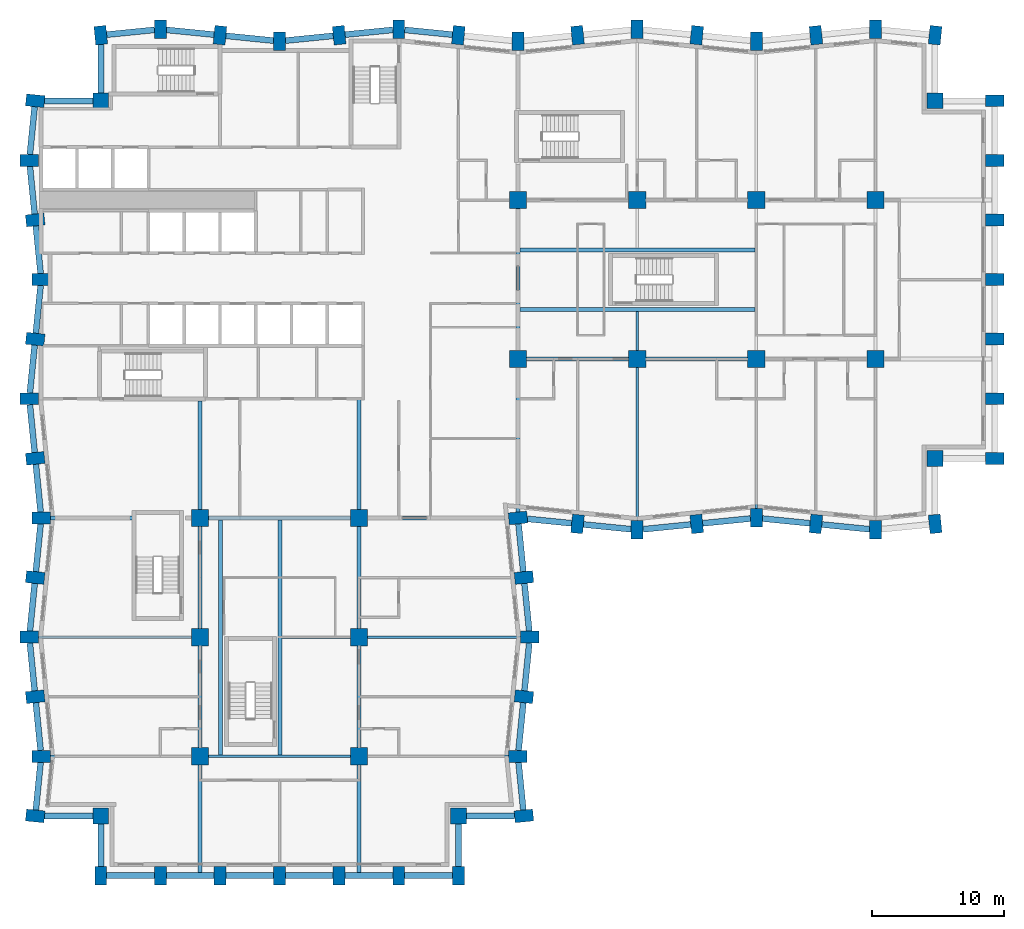
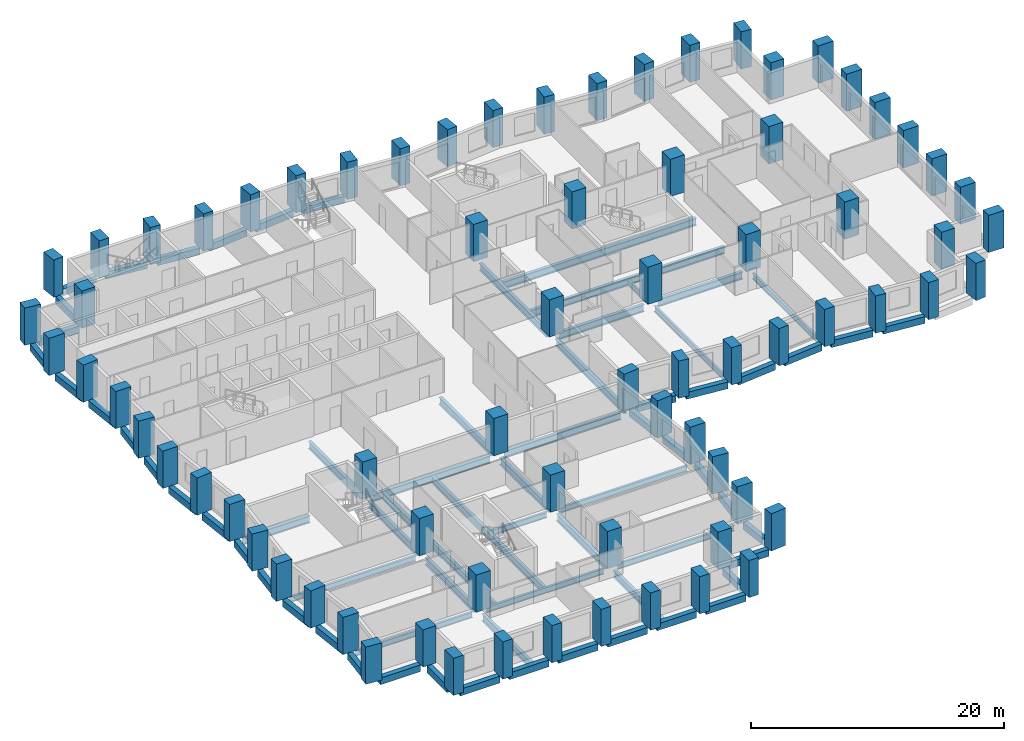
# One storey, part 1 of 12: 74 columns, 69 beams.
"""IFC4 building model written with IfcOpenShell, lengths in metres."""

from ifc_helpers import new_model, si_unit, direction, frame, origin, origin_2d, place, context, subcontext, project, spatial, rectangle, i_section, extrude, material, material_profile, profile_set, type_object, element, save


model = new_model("IFC4")

# Units and contexts
model_context = context("Model", 3, precision=1e-05, world=origin(), true_north=direction((0.0, 1.0)))
body_context = subcontext(model_context, "Body", "Model", "MODEL_VIEW")
ifc_project = project(units=[si_unit("LENGTHUNIT", "METRE"), si_unit("AREAUNIT", "SQUARE_METRE"), si_unit("VOLUMEUNIT", "CUBIC_METRE"), si_unit("PLANEANGLEUNIT", "RADIAN"), si_unit("MASSUNIT", "GRAM", prefix="KILO")], contexts=[model_context])

# Site, building, storey
site_placement = place(None, origin())
site = spatial("IfcSite", under=ifc_project, at=site_placement, CompositionType="ELEMENT")
building_placement = place(site_placement, origin())
building = spatial("IfcBuilding", under=site, at=building_placement, Name="Brondeck Convention Tower", CompositionType="ELEMENT")
storey_placement = place(building_placement, frame((0.0, 0.0, 59.10009765625)))
storey = spatial("IfcBuildingStorey", under=building, at=storey_placement, Name="L12", CompositionType="ELEMENT", Elevation=59.10009765625)

# Columns
ifc_material_1 = material(Name="Concrete C80/95", Category="concrete")
ifc_material_profile_1 = material_profile(ifc_material_1, rectangle(XDim=1.199951171875, YDim=1.199951171875, at=origin_2d()), Name="Corner column 1200x1200 Concrete C80/95")
ifc_profile_set_1 = profile_set([ifc_material_profile_1], Name="Concrete C80/95")
column_type_1 = type_object("IfcColumnType", Name="Corner column 1200x1200 Concrete C80/95", PredefinedType="COLUMN", material=ifc_profile_set_1)
for number, where, z_axis, x_axis, name in (
    (1, (4.5, 4.5, 0.0), (0.0, 0.0, 1.0), (1.0, 0.0, 0.0), "STR-COL-L12-NC-SWB0"),
    (2, (31.5, 4.5, 0.0), (0.0, 0.0, 1.0), (1.0, 0.0, 0.0), "STR-COL-L12-NC-SEB0"),
    (3, (67.5, 31.5, 0.0), (0.0, 0.0, 1.0), (1.0, 0.0, 0.0), "STR-COL-L12-NC-SEA72"),
    (4, (67.5, 58.5, 0.0), (0.0, 0.0, 1.0), (1.0, 0.0, 0.0), "STR-COL-L12-NC-NEA72"),
    (5, (4.5, 58.5, 0.0), (0.0, 0.0, 1.0), (1.0, 0.0, 0.0), "STR-COL-L12-NC-NW"),
):
    element("IfcColumn", number, at=place(storey_placement, frame(where, z_axis=z_axis, x_axis=x_axis)), inside=storey, type_object=column_type_1, Name=name, PredefinedType="COLUMN", context=body_context, shape_type="SweptSolid", body=[
        extrude(rectangle(XDim=1.199951171875, YDim=1.199951171875, at=origin_2d()), origin(), (0.0, 0.0, 1.0), 3.599853515625),
    ])
ifc_material_profile_2 = material_profile(ifc_material_1, rectangle(XDim=1.300048828125, YDim=1.300048828125, at=origin_2d()), Name="Interior column 1300x1300 Concrete C80/95")
ifc_profile_set_2 = profile_set([ifc_material_profile_2], Name="Concrete C80/95")
column_type_2 = type_object("IfcColumnType", Name="Interior column 1300x1300 Concrete C80/95", PredefinedType="COLUMN", material=ifc_profile_set_2)
for number, where, z_axis, x_axis, name in (
    (6, (12.0, 9.0, 0.0), (0.0, 0.0, 1.0), (1.0, 0.0, 0.0), "STR-COL-L12-IC-01"),
    (7, (12.0, 18.0, 0.0), (0.0, 0.0, 1.0), (1.0, 0.0, 0.0), "STR-COL-L12-IC-02"),
    (8, (12.0, 27.0, 0.0), (0.0, 0.0, 1.0), (1.0, 0.0, 0.0), "STR-COL-L12-IC-03"),
    (9, (24.0, 9.0, 0.0), (0.0, 0.0, 1.0), (1.0, 0.0, 0.0), "STR-COL-L12-IC-04"),
    (10, (24.0, 18.0, 0.0), (0.0, 0.0, 1.0), (1.0, 0.0, 0.0), "STR-COL-L12-IC-05"),
    (11, (24.0, 27.0, 0.0), (0.0, 0.0, 1.0), (1.0, 0.0, 0.0), "STR-COL-L12-IC-06"),
    (12, (36.0, 39.0, 0.0), (0.0, 0.0, 1.0), (1.0, 0.0, 0.0), "STR-COL-L12-IC-07"),
    (13, (36.0, 51.0, 0.0), (0.0, 0.0, 1.0), (1.0, 0.0, 0.0), "STR-COL-L12-IC-08"),
    (14, (45.0, 39.0, 0.0), (0.0, 0.0, 1.0), (1.0, 0.0, 0.0), "STR-COL-L12-IC-09"),
    (15, (45.0, 51.0, 0.0), (0.0, 0.0, 1.0), (1.0, 0.0, 0.0), "STR-COL-L12-IC-10"),
    (16, (54.0, 39.0, 0.0), (0.0, 0.0, 1.0), (1.0, 0.0, 0.0), "STR-COL-L12-IC-11"),
    (17, (54.0, 51.0, 0.0), (0.0, 0.0, 1.0), (1.0, 0.0, 0.0), "STR-COL-L12-IC-12"),
    (18, (63.0, 39.0, 0.0), (0.0, 0.0, 1.0), (1.0, 0.0, 0.0), "STR-COL-L12-IC-13"),
    (19, (63.0, 51.0, 0.0), (0.0, 0.0, 1.0), (1.0, 0.0, 0.0), "STR-COL-L12-IC-14"),
):
    element("IfcColumn", number, at=place(storey_placement, frame(where, z_axis=z_axis, x_axis=x_axis)), inside=storey, type_object=column_type_2, Name=name, PredefinedType="COLUMN", context=body_context, shape_type="SweptSolid", body=[
        extrude(rectangle(XDim=1.300048828125, YDim=1.300048828125, at=origin_2d()), origin(), (0.0, 0.0, 1.0), 3.599853515625),
    ])
ifc_material_profile_3 = material_profile(ifc_material_1, rectangle(XDim=0.89990234375, YDim=1.39990234375, at=origin_2d()), Name="Perimeter pier 900x1400 Concrete C80/95")
ifc_profile_set_3 = profile_set([ifc_material_profile_3], Name="Concrete C80/95")
column_type_3 = type_object("IfcColumnType", Name="Perimeter pier 900x1400 Concrete C80/95", PredefinedType="COLUMN", material=ifc_profile_set_3)
for number, where, z_axis, x_axis, name in (
    (20, (4.5, 0.0, 0.0), (0.0, 0.0, 1.0), (1.0, 0.0, 0.0), "STR-COL-L12-PC-B-S0-01"),
    (21, (9.0, 0.0, 0.0), (0.0, 0.0, 1.0), (1.0, 0.0, 0.0), "STR-COL-L12-PC-B-S0-02"),
    (22, (13.5, 0.0, 0.0), (0.0, 0.0, 1.0), (1.0, 0.0, 0.0), "STR-COL-L12-PC-B-S0-03"),
    (23, (18.0, 0.0, 0.0), (0.0, 0.0, 1.0), (1.0, 0.0, 0.0), "STR-COL-L12-PC-B-S0-04"),
    (24, (22.5, 0.0, 0.0), (0.0, 0.0, 1.0), (1.0, 0.0, 0.0), "STR-COL-L12-PC-B-S0-05"),
    (25, (27.0, 0.0, 0.0), (0.0, 0.0, 1.0), (1.0, 0.0, 0.0), "STR-COL-L12-PC-B-S0-06"),
    (26, (31.5, 0.0, 0.0), (0.0, 0.0, 1.0), (1.0, 0.0, 0.0), "STR-COL-L12-PC-B-S0-07"),
    (27, (36.449951171875, 4.5, 0.0), (0.0, 0.0, 1.0), (-0.0995038382, 0.995037178292, 0.0), "STR-COL-L12-PC-B-E-05"),
    (28, (36.0, 9.0, 0.0), (0.0, 0.0, 1.0), (0.0, 1.0, 0.0), "STR-COL-L12-PC-B-E-04"),
    (29, (36.449951171875, 13.5, 0.0), (0.0, 0.0, 1.0), (0.0995038382, 0.995037178292, 0.0), "STR-COL-L12-PC-B-E-03"),
    (30, (36.89990234375, 18.0, 0.0), (0.0, 0.0, 1.0), (0.0, 1.0, 0.0), "STR-COL-L12-PC-B-E-02"),
    (31, (36.449951171875, 22.5, 0.0), (0.0, 0.0, 1.0), (-0.0995038382, 0.995037178292, 0.0), "STR-COL-L12-PC-B-E-01"),
    (32, (36.0, 27.0, 0.0), (0.0, 0.0, 1.0), (-0.0995038382, 0.995037178292, 0.0), "STR-COL-L12-PC-B-E-00"),
    (33, (40.5, 26.550048828125, 0.0), (0.0, 0.0, 1.0), (0.995037178292, -0.0995038382, 0.0), "STR-COL-L12-PC-A-S-01"),
    (34, (45.0, 26.10009765625, 0.0), (0.0, 0.0, 1.0), (1.0, 0.0, 0.0), "STR-COL-L12-PC-A-S-02"),
    (35, (49.5, 26.550048828125, 0.0), (0.0, 0.0, 1.0), (0.995037178292, 0.0995038382, 0.0), "STR-COL-L12-PC-A-S-03"),
    (36, (54.0, 27.0, 0.0), (0.0, 0.0, 1.0), (1.0, 0.0, 0.0), "STR-COL-L12-PC-A-S-04"),
    (37, (58.5, 26.550048828125, 0.0), (0.0, 0.0, 1.0), (0.995037178292, -0.0995038382, 0.0), "STR-COL-L12-PC-A-S-05"),
    (38, (63.0, 26.10009765625, 0.0), (0.0, 0.0, 1.0), (1.0, 0.0, 0.0), "STR-COL-L12-PC-A-S-06"),
    (39, (67.5, 26.550048828125, 0.0), (0.0, 0.0, 1.0), (0.995037178292, 0.0995038382, 0.0), "STR-COL-L12-PC-A-S-07"),
    (40, (72.0, 31.5, 0.0), (0.0, 0.0, 1.0), (0.0, 1.0, 0.0), "STR-COL-L12-PC-A-E72-01"),
    (41, (72.0, 36.0, 0.0), (0.0, 0.0, 1.0), (0.0, 1.0, 0.0), "STR-COL-L12-PC-A-E72-02"),
    (42, (72.0, 40.5, 0.0), (0.0, 0.0, 1.0), (0.0, 1.0, 0.0), "STR-COL-L12-PC-A-E72-03"),
    (43, (72.0, 45.0, 0.0), (0.0, 0.0, 1.0), (0.0, 1.0, 0.0), "STR-COL-L12-PC-A-E72-04"),
    (44, (72.0, 49.5, 0.0), (0.0, 0.0, 1.0), (0.0, 1.0, 0.0), "STR-COL-L12-PC-A-E72-05"),
    (45, (72.0, 54.0, 0.0), (0.0, 0.0, 1.0), (0.0, 1.0, 0.0), "STR-COL-L12-PC-A-E72-06"),
    (46, (72.0, 58.5, 0.0), (0.0, 0.0, 1.0), (0.0, 1.0, 0.0), "STR-COL-L12-PC-A-E72-07"),
    (47, (67.5, 63.449951171875, 0.0), (0.0, 0.0, 1.0), (-0.995037178292, 0.0995038382, 0.0), "STR-COL-L12-PC-A-N-15"),
    (48, (63.0, 63.89990234375, 0.0), (0.0, 0.0, 1.0), (-1.0, 0.0, 0.0), "STR-COL-L12-PC-A-N-14"),
    (49, (58.5, 63.449951171875, 0.0), (0.0, 0.0, 1.0), (-0.995037178292, -0.0995038382, 0.0), "STR-COL-L12-PC-A-N-13"),
    (50, (54.0, 63.0, 0.0), (0.0, 0.0, 1.0), (-1.0, 0.0, 0.0), "STR-COL-L12-PC-A-N-12"),
    (51, (49.5, 63.449951171875, 0.0), (0.0, 0.0, 1.0), (-0.995037178292, 0.0995038382, 0.0), "STR-COL-L12-PC-A-N-11"),
    (52, (45.0, 63.89990234375, 0.0), (0.0, 0.0, 1.0), (-1.0, 0.0, 0.0), "STR-COL-L12-PC-A-N-10"),
    (53, (40.5, 63.449951171875, 0.0), (0.0, 0.0, 1.0), (-0.995037178292, -0.0995038382, 0.0), "STR-COL-L12-PC-A-N-09"),
    (54, (36.0, 63.0, 0.0), (0.0, 0.0, 1.0), (-1.0, 0.0, 0.0), "STR-COL-L12-PC-A-N-08"),
    (55, (31.5, 63.449951171875, 0.0), (0.0, 0.0, 1.0), (-0.995037178292, 0.0995038382, 0.0), "STR-COL-L12-PC-A-N-07"),
    (56, (27.0, 63.89990234375, 0.0), (0.0, 0.0, 1.0), (-1.0, 0.0, 0.0), "STR-COL-L12-PC-A-N-06"),
    (57, (22.5, 63.449951171875, 0.0), (0.0, 0.0, 1.0), (-0.995037178292, -0.0995038382, 0.0), "STR-COL-L12-PC-A-N-05"),
    (58, (18.0, 63.0, 0.0), (0.0, 0.0, 1.0), (-1.0, 0.0, 0.0), "STR-COL-L12-PC-A-N-04"),
    (59, (13.5, 63.449951171875, 0.0), (0.0, 0.0, 1.0), (-0.995037178292, 0.0995038382, 0.0), "STR-COL-L12-PC-A-N-03"),
    (60, (9.0, 63.89990234375, 0.0), (0.0, 0.0, 1.0), (-1.0, 0.0, 0.0), "STR-COL-L12-PC-A-N-02"),
    (61, (4.5, 63.449951171875, 0.0), (0.0, 0.0, 1.0), (-0.995037178292, -0.0995038382, 0.0), "STR-COL-L12-PC-A-N-01"),
    (62, (-0.449951171875, 58.5, 0.0), (0.0, 0.0, 1.0), (-0.0995038382, -0.995037178292, 0.0), "STR-COL-L12-PC-B-W-01"),
    (63, (-0.89990234375, 54.0, 0.0), (0.0, 0.0, 1.0), (0.0, -1.0, 0.0), "STR-COL-L12-PC-B-W-02"),
    (64, (-0.449951171875, 49.5, 0.0), (0.0, 0.0, 1.0), (0.0995038382, -0.995037178292, 0.0), "STR-COL-L12-PC-B-W-03"),
    (65, (0.0, 45.0, 0.0), (0.0, 0.0, 1.0), (0.0, -1.0, 0.0), "STR-COL-L12-PC-B-W-04"),
    (66, (-0.449951171875, 40.5, 0.0), (0.0, 0.0, 1.0), (-0.0995038382, -0.995037178292, 0.0), "STR-COL-L12-PC-B-W-05"),
    (67, (-0.89990234375, 36.0, 0.0), (0.0, 0.0, 1.0), (0.0, -1.0, 0.0), "STR-COL-L12-PC-B-W-06"),
    (68, (-0.449951171875, 31.5, 0.0), (0.0, 0.0, 1.0), (0.0995038382, -0.995037178292, 0.0), "STR-COL-L12-PC-B-W-07"),
    (69, (0.0, 27.0, 0.0), (0.0, 0.0, 1.0), (0.0, -1.0, 0.0), "STR-COL-L12-PC-B-W-08"),
    (70, (-0.449951171875, 22.5, 0.0), (0.0, 0.0, 1.0), (-0.0995038382, -0.995037178292, 0.0), "STR-COL-L12-PC-B-W-09"),
    (71, (-0.89990234375, 18.0, 0.0), (0.0, 0.0, 1.0), (0.0, -1.0, 0.0), "STR-COL-L12-PC-B-W-10"),
    (72, (-0.449951171875, 13.5, 0.0), (0.0, 0.0, 1.0), (0.0995038382, -0.995037178292, 0.0), "STR-COL-L12-PC-B-W-11"),
    (73, (0.0, 9.0, 0.0), (0.0, 0.0, 1.0), (0.0, -1.0, 0.0), "STR-COL-L12-PC-B-W-12"),
    (74, (-0.449951171875, 4.5, 0.0), (0.0, 0.0, 1.0), (-0.0995038382, -0.995037178292, 0.0), "STR-COL-L12-PC-B-W-13"),
):
    element("IfcColumn", number, at=place(storey_placement, frame(where, z_axis=z_axis, x_axis=x_axis)), inside=storey, type_object=column_type_3, Name=name, PredefinedType="COLUMN", context=body_context, shape_type="SweptSolid", body=[
        extrude(rectangle(XDim=0.89990234375, YDim=1.39990234375, at=origin_2d()), origin(), (0.0, 0.0, 1.0), 3.599853515625),
    ])

# Beams
ifc_material_2 = material(Name="Steel S355", Category="steel")
ifc_material_profile_4 = material_profile(ifc_material_2, i_section(OverallWidth=0.2099609375, OverallDepth=0.550048828125, WebThickness=0.010986328125, FlangeThickness=0.01708984375, FilletRadius=0.02392578125, at=origin_2d()), Name="IPE 550")
ifc_profile_set_4 = profile_set([ifc_material_profile_4], Name="Steel S355")
beam_type_1 = type_object("IfcBeamType", Name="Floor beam IPE 550", PredefinedType="BEAM", material=ifc_profile_set_4)
beam_1_placement = place(storey_placement, frame((45.0, 26.800048828125, -0.5751953125), z_axis=(0.0, 1.0, 0.0), x_axis=(-1.0, 0.0, 0.0)))
element("IfcBeam", 75, at=beam_1_placement, inside=storey, type_object=beam_type_1, Name="STR-FB-L12-001", PredefinedType="BEAM", context=body_context, shape_type="SweptSolid", body=[
    extrude(i_section(OverallWidth=0.2099609375, OverallDepth=0.550048828125, WebThickness=0.010986328125, FlangeThickness=0.01708984375, FilletRadius=0.02392578125, at=origin_2d()), origin(), (0.0, 0.0, 1.0), 11.550048828125),
])
for number, where, z_axis, x_axis, name in (
    (76, (54.0, 27.699951171875, -0.5751953125), (0.0, 1.0, 0.0), (-1.0, 0.0, 0.0), "STR-FB-L12-003"),
    (77, (0.699951171875, 9.0, -0.5751953125), (1.0, 0.0, 0.0), (0.0, 1.0, 0.0), "STR-FB-L12-009"),
):
    element("IfcBeam", number, at=place(storey_placement, frame(where, z_axis=z_axis, x_axis=x_axis)), inside=storey, type_object=beam_type_1, Name=name, PredefinedType="BEAM", context=body_context, shape_type="SweptSolid", body=[
        extrude(i_section(OverallWidth=0.2099609375, OverallDepth=0.550048828125, WebThickness=0.010986328125, FlangeThickness=0.01708984375, FilletRadius=0.02392578125, at=origin_2d()), origin(), (0.0, 0.0, 1.0), 10.650146484375),
    ])
beam_2_placement = place(storey_placement, frame((12.64990234375, 9.0, -0.5751953125), z_axis=(1.0, 0.0, 0.0), x_axis=(0.0, 1.0, 0.0)))
element("IfcBeam", 78, at=beam_2_placement, inside=storey, type_object=beam_type_1, Name="STR-FB-L12-010", PredefinedType="BEAM", context=body_context, shape_type="SweptSolid", body=[
    extrude(i_section(OverallWidth=0.2099609375, OverallDepth=0.550048828125, WebThickness=0.010986328125, FlangeThickness=0.01708984375, FilletRadius=0.02392578125, at=origin_2d()), origin(), (0.0, 0.0, 1.0), 10.7001953125),
])
beam_3_placement = place(storey_placement, frame((24.64990234375, 9.0, -0.5751953125), z_axis=(1.0, 0.0, 0.0), x_axis=(0.0, 1.0, 0.0)))
element("IfcBeam", 79, at=beam_3_placement, inside=storey, type_object=beam_type_1, Name="STR-FB-L12-011", PredefinedType="BEAM", context=body_context, shape_type="SweptSolid", body=[
    extrude(i_section(OverallWidth=0.2099609375, OverallDepth=0.550048828125, WebThickness=0.010986328125, FlangeThickness=0.01708984375, FilletRadius=0.02392578125, at=origin_2d()), origin(), (0.0, 0.0, 1.0), 10.650146484375),
])
for number, where, z_axis, x_axis, name in (
    (80, (-0.199951171875, 18.0, -0.5751953125), (1.0, 0.0, 0.0), (0.0, 1.0, 0.0), "STR-FB-L12-012"),
    (81, (24.64990234375, 18.0, -0.5751953125), (1.0, 0.0, 0.0), (0.0, 1.0, 0.0), "STR-FB-L12-013"),
):
    element("IfcBeam", number, at=place(storey_placement, frame(where, z_axis=z_axis, x_axis=x_axis)), inside=storey, type_object=beam_type_1, Name=name, PredefinedType="BEAM", context=body_context, shape_type="SweptSolid", body=[
        extrude(i_section(OverallWidth=0.2099609375, OverallDepth=0.550048828125, WebThickness=0.010986328125, FlangeThickness=0.01708984375, FilletRadius=0.02392578125, at=origin_2d()), origin(), (0.0, 0.0, 1.0), 11.550048828125),
    ])
beam_4_placement = place(storey_placement, frame((45.0, 39.64990234375, -0.5751953125), z_axis=(0.0, 1.0, 0.0), x_axis=(-1.0, 0.0, 0.0)))
element("IfcBeam", 82, at=beam_4_placement, inside=storey, type_object=beam_type_1, Name="STR-FB-L12-014", PredefinedType="BEAM", context=body_context, shape_type="SweptSolid", body=[
    extrude(i_section(OverallWidth=0.2099609375, OverallDepth=0.550048828125, WebThickness=0.010986328125, FlangeThickness=0.01708984375, FilletRadius=0.02392578125, at=origin_2d()), origin(), (0.0, 0.0, 1.0), 2.9501953125),
])
beam_5_placement = place(storey_placement, frame((18.199951171875, 18.0, -0.5751953125), z_axis=(1.0, 0.0, 0.0), x_axis=(0.0, 1.0, 0.0)))
element("IfcBeam", 83, at=beam_5_placement, inside=storey, type_object=beam_type_1, Name="STR-FB-L12-016", PredefinedType="BEAM", context=body_context, shape_type="SweptSolid", body=[
    extrude(i_section(OverallWidth=0.2099609375, OverallDepth=0.550048828125, WebThickness=0.010986328125, FlangeThickness=0.01708984375, FilletRadius=0.02392578125, at=origin_2d()), origin(), (0.0, 0.0, 1.0), 5.150146484375),
])
ifc_material_profile_5 = material_profile(ifc_material_2, i_section(OverallWidth=0.300048828125, OverallDepth=0.699951171875, WebThickness=0.01708984375, FlangeThickness=0.031982421875, FilletRadius=0.027099609375, at=origin_2d()), Name="HEB 700")
ifc_profile_set_5 = profile_set([ifc_material_profile_5], Name="Steel S355")
beam_type_2 = type_object("IfcBeamType", Name="Girder HEB 700", PredefinedType="BEAM", material=ifc_profile_set_5)
for number, where, z_axis, x_axis, name in (
    (84, (36.64990234375, 39.0, -0.650146484375), (1.0, 0.0, 0.0), (0.0, 1.0, 0.0), "STR-GR-L12-001"),
    (85, (45.64990234375, 39.0, -0.650146484375), (1.0, 0.0, 0.0), (0.0, 1.0, 0.0), "STR-GR-L12-002"),
):
    element("IfcBeam", number, at=place(storey_placement, frame(where, z_axis=z_axis, x_axis=x_axis)), inside=storey, type_object=beam_type_2, Name=name, PredefinedType="BEAM", context=body_context, shape_type="SweptSolid", body=[
        extrude(i_section(OverallWidth=0.300048828125, OverallDepth=0.699951171875, WebThickness=0.01708984375, FlangeThickness=0.031982421875, FilletRadius=0.027099609375, at=origin_2d()), origin(), (0.0, 0.0, 1.0), 7.7001953125),
    ])
beam_6_placement = place(storey_placement, frame((36.0, 27.4521484375, -0.650146484375), z_axis=(0.0, 1.0, 0.0), x_axis=(-1.0, 0.0, 0.0)))
element("IfcBeam", 86, at=beam_6_placement, inside=storey, type_object=beam_type_2, Name="STR-GR-L12-009", PredefinedType="BEAM", context=body_context, shape_type="SweptSolid", body=[
    extrude(i_section(OverallWidth=0.300048828125, OverallDepth=0.699951171875, WebThickness=0.01708984375, FlangeThickness=0.031982421875, FilletRadius=0.027099609375, at=origin_2d()), origin(), (0.0, 0.0, 1.0), 10.89794921875),
])
beam_7_placement = place(storey_placement, frame((36.0, 39.64990234375, -0.650146484375), z_axis=(0.0, 1.0, 0.0), x_axis=(-1.0, 0.0, 0.0)))
element("IfcBeam", 87, at=beam_7_placement, inside=storey, type_object=beam_type_2, Name="STR-GR-L12-010", PredefinedType="BEAM", context=body_context, shape_type="SweptSolid", body=[
    extrude(i_section(OverallWidth=0.300048828125, OverallDepth=0.699951171875, WebThickness=0.01708984375, FlangeThickness=0.031982421875, FilletRadius=0.027099609375, at=origin_2d()), origin(), (0.0, 0.0, 1.0), 10.7001953125),
])
beam_8_placement = place(storey_placement, frame((12.0, 35.85009765625, -0.650146484375), z_axis=(0.0, -1.0, 0.0), x_axis=(1.0, 0.0, 0.0)))
element("IfcBeam", 88, at=beam_8_placement, inside=storey, type_object=beam_type_2, Name="STR-GR-L12-013", PredefinedType="BEAM", context=body_context, shape_type="SweptSolid", body=[
    extrude(i_section(OverallWidth=0.300048828125, OverallDepth=0.699951171875, WebThickness=0.01708984375, FlangeThickness=0.031982421875, FilletRadius=0.027099609375, at=origin_2d()), origin(), (0.0, 0.0, 1.0), 8.2001953125),
])
for number, where, z_axis, x_axis, name in (
    (89, (12.0, 26.35009765625, -0.650146484375), (0.0, -1.0, 0.0), (1.0, 0.0, 0.0), "STR-GR-L12-014"),
    (90, (12.0, 17.35009765625, -0.650146484375), (0.0, -1.0, 0.0), (1.0, 0.0, 0.0), "STR-GR-L12-015"),
):
    element("IfcBeam", number, at=place(storey_placement, frame(where, z_axis=z_axis, x_axis=x_axis)), inside=storey, type_object=beam_type_2, Name=name, PredefinedType="BEAM", context=body_context, shape_type="SweptSolid", body=[
        extrude(i_section(OverallWidth=0.300048828125, OverallDepth=0.699951171875, WebThickness=0.01708984375, FlangeThickness=0.031982421875, FilletRadius=0.027099609375, at=origin_2d()), origin(), (0.0, 0.0, 1.0), 7.7001953125),
    ])
beam_9_placement = place(storey_placement, frame((12.0, 8.35009765625, -0.650146484375), z_axis=(0.0, -1.0, 0.0), x_axis=(1.0, 0.0, 0.0)))
element("IfcBeam", 91, at=beam_9_placement, inside=storey, type_object=beam_type_2, Name="STR-GR-L12-016", PredefinedType="BEAM", context=body_context, shape_type="SweptSolid", body=[
    extrude(i_section(OverallWidth=0.300048828125, OverallDepth=0.699951171875, WebThickness=0.01708984375, FlangeThickness=0.031982421875, FilletRadius=0.027099609375, at=origin_2d()), origin(), (0.0, 0.0, 1.0), 8.125),
])
beam_10_placement = place(storey_placement, frame((24.0, 35.955078125, -0.650146484375), z_axis=(0.0, -1.0, 0.0), x_axis=(1.0, 0.0, 0.0)))
element("IfcBeam", 92, at=beam_10_placement, inside=storey, type_object=beam_type_2, Name="STR-GR-L12-017", PredefinedType="BEAM", context=body_context, shape_type="SweptSolid", body=[
    extrude(i_section(OverallWidth=0.300048828125, OverallDepth=0.699951171875, WebThickness=0.01708984375, FlangeThickness=0.031982421875, FilletRadius=0.027099609375, at=origin_2d()), origin(), (0.0, 0.0, 1.0), 8.30517578125),
])
for number, where, z_axis, x_axis, name in (
    (93, (24.0, 26.35009765625, -0.650146484375), (0.0, -1.0, 0.0), (1.0, 0.0, 0.0), "STR-GR-L12-018"),
    (94, (24.0, 17.35009765625, -0.650146484375), (0.0, -1.0, 0.0), (1.0, 0.0, 0.0), "STR-GR-L12-019"),
):
    element("IfcBeam", number, at=place(storey_placement, frame(where, z_axis=z_axis, x_axis=x_axis)), inside=storey, type_object=beam_type_2, Name=name, PredefinedType="BEAM", context=body_context, shape_type="SweptSolid", body=[
        extrude(i_section(OverallWidth=0.300048828125, OverallDepth=0.699951171875, WebThickness=0.01708984375, FlangeThickness=0.031982421875, FilletRadius=0.027099609375, at=origin_2d()), origin(), (0.0, 0.0, 1.0), 7.7001953125),
    ])
beam_11_placement = place(storey_placement, frame((24.0, 8.35009765625, -0.650146484375), z_axis=(0.0, -1.0, 0.0), x_axis=(1.0, 0.0, 0.0)))
element("IfcBeam", 95, at=beam_11_placement, inside=storey, type_object=beam_type_2, Name="STR-GR-L12-020", PredefinedType="BEAM", context=body_context, shape_type="SweptSolid", body=[
    extrude(i_section(OverallWidth=0.300048828125, OverallDepth=0.699951171875, WebThickness=0.01708984375, FlangeThickness=0.031982421875, FilletRadius=0.027099609375, at=origin_2d()), origin(), (0.0, 0.0, 1.0), 8.125),
])
beam_12_placement = place(storey_placement, frame((0.699951171875, 27.0, -0.650146484375), z_axis=(1.0, 0.0, 0.0), x_axis=(0.0, 1.0, 0.0)))
element("IfcBeam", 96, at=beam_12_placement, inside=storey, type_object=beam_type_2, Name="STR-GR-L12-021", PredefinedType="BEAM", context=body_context, shape_type="SweptSolid", body=[
    extrude(i_section(OverallWidth=0.300048828125, OverallDepth=0.699951171875, WebThickness=0.01708984375, FlangeThickness=0.031982421875, FilletRadius=0.027099609375, at=origin_2d()), origin(), (0.0, 0.0, 1.0), 6.179931640625),
])
beam_13_placement = place(storey_placement, frame((12.64990234375, 27.0, -0.650146484375), z_axis=(1.0, 0.0, 0.0), x_axis=(0.0, 1.0, 0.0)))
element("IfcBeam", 97, at=beam_13_placement, inside=storey, type_object=beam_type_2, Name="STR-GR-L12-022", PredefinedType="BEAM", context=body_context, shape_type="SweptSolid", body=[
    extrude(i_section(OverallWidth=0.300048828125, OverallDepth=0.699951171875, WebThickness=0.01708984375, FlangeThickness=0.031982421875, FilletRadius=0.027099609375, at=origin_2d()), origin(), (0.0, 0.0, 1.0), 10.7001953125),
])
beam_14_placement = place(storey_placement, frame((24.64990234375, 27.0, -0.650146484375), z_axis=(1.0, 0.0, 0.0), x_axis=(0.0, 1.0, 0.0)))
element("IfcBeam", 98, at=beam_14_placement, inside=storey, type_object=beam_type_2, Name="STR-GR-L12-023", PredefinedType="BEAM", context=body_context, shape_type="SweptSolid", body=[
    extrude(i_section(OverallWidth=0.300048828125, OverallDepth=0.699951171875, WebThickness=0.01708984375, FlangeThickness=0.031982421875, FilletRadius=0.027099609375, at=origin_2d()), origin(), (0.0, 0.0, 1.0), 10.646484375),
])
for number, where, z_axis, x_axis, name in (
    (99, (36.14990234375, 42.75, -0.650146484375), (1.0, 0.0, 0.0), (0.0, 1.0, 0.0), "STR-GR-L12-024"),
    (100, (36.14990234375, 47.25, -0.650146484375), (1.0, 0.0, 0.0), (0.0, 1.0, 0.0), "STR-GR-L12-025"),
    (101, (13.550048828125, 9.10498046875, -0.650146484375), (0.0, 1.0, 0.0), (-1.0, 0.0, 0.0), "STR-GR-L12-026"),
    (102, (18.050048828125, 9.10498046875, -0.650146484375), (0.0, 1.0, 0.0), (-1.0, 0.0, 0.0), "STR-GR-L12-027"),
):
    element("IfcBeam", number, at=place(storey_placement, frame(where, z_axis=z_axis, x_axis=x_axis)), inside=storey, type_object=beam_type_2, Name=name, PredefinedType="BEAM", context=body_context, shape_type="SweptSolid", body=[
        extrude(i_section(OverallWidth=0.300048828125, OverallDepth=0.699951171875, WebThickness=0.01708984375, FlangeThickness=0.031982421875, FilletRadius=0.027099609375, at=origin_2d()), origin(), (0.0, 0.0, 1.0), 17.7451171875),
    ])
ifc_material_profile_6 = material_profile(ifc_material_1, rectangle(XDim=0.449951171875, YDim=0.64990234375, at=origin_2d()), Name="Precast spandrel 450x650 Concrete C80/95")
ifc_profile_set_6 = profile_set([ifc_material_profile_6], Name="Concrete C80/95")
beam_type_3 = type_object("IfcBeamType", Name="Precast spandrel 450x650 Concrete C80/95", PredefinedType="SPANDREL", material=ifc_profile_set_6)
for number, where, z_axis, x_axis, name in (
    (103, (4.949951171875, 0.0, -0.3251953125), (1.0, 0.0, 0.0), (0.0, 1.0, 0.0), "STR-SP-L12-001"),
    (104, (9.449951171875, 0.0, -0.3251953125), (1.0, 0.0, 0.0), (0.0, 1.0, 0.0), "STR-SP-L12-002"),
    (105, (13.949951171875, 0.0, -0.3251953125), (1.0, 0.0, 0.0), (0.0, 1.0, 0.0), "STR-SP-L12-003"),
    (106, (18.449951171875, 0.0, -0.3251953125), (1.0, 0.0, 0.0), (0.0, 1.0, 0.0), "STR-SP-L12-004"),
    (107, (22.949951171875, 0.0, -0.3251953125), (1.0, 0.0, 0.0), (0.0, 1.0, 0.0), "STR-SP-L12-005"),
    (108, (27.449951171875, 0.0, -0.3251953125), (1.0, 0.0, 0.0), (0.0, 1.0, 0.0), "STR-SP-L12-006"),
):
    element("IfcBeam", number, at=place(storey_placement, frame(where, z_axis=z_axis, x_axis=x_axis)), inside=storey, type_object=beam_type_3, Name=name, PredefinedType="SPANDREL", context=body_context, shape_type="SweptSolid", body=[
        extrude(rectangle(XDim=0.449951171875, YDim=0.64990234375, at=origin_2d()), origin(), (0.0, 0.0, 1.0), 3.60009765625),
    ])
beam_15_placement = place(storey_placement, frame((31.5, 0.699951171875, -0.3251953125), z_axis=(0.0, 1.0, 0.0), x_axis=(-1.0, 0.0, 0.0)))
element("IfcBeam", 109, at=beam_15_placement, inside=storey, type_object=beam_type_3, Name="STR-SP-L12-007", PredefinedType="SPANDREL", context=body_context, shape_type="SweptSolid", body=[
    extrude(rectangle(XDim=0.449951171875, YDim=0.64990234375, at=origin_2d()), origin(), (0.0, 0.0, 1.0), 3.199951171875),
])
beam_16_placement = place(storey_placement, frame((32.10009765625, 4.5, -0.3251953125), z_axis=(1.0, 0.0, 0.0), x_axis=(0.0, 1.0, 0.0)))
element("IfcBeam", 110, at=beam_16_placement, inside=storey, type_object=beam_type_3, Name="STR-SP-L12-008", PredefinedType="SPANDREL", context=body_context, shape_type="SweptSolid", body=[
    extrude(rectangle(XDim=0.449951171875, YDim=0.64990234375, at=origin_2d()), origin(), (0.0, 0.0, 1.0), 3.646484375),
])
for number, where, z_axis, x_axis, name in (
    (111, (36.4052734375, 4.94775390625, -0.3251953125), (-0.099537103649, 0.995033851182, 0.0), (-0.995033851182, -0.099537103649, 0.0), "STR-SP-L12-009"),
    (112, (36.044921875, 9.449951171875, -0.3251953125), (0.099537103649, 0.995033851182, 0.0), (-0.995033851182, 0.099537103649, 0.0), "STR-SP-L12-010"),
    (113, (36.494873046875, 13.94775390625, -0.3251953125), (0.099470334057, 0.995040528141, 0.0), (-0.995040528141, 0.099470334057, 0.0), "STR-SP-L12-011"),
    (114, (36.85498046875, 18.449951171875, -0.3251953125), (-0.099470334057, 0.995040528141, 0.0), (-0.995040528141, -0.099470334057, 0.0), "STR-SP-L12-012"),
):
    element("IfcBeam", number, at=place(storey_placement, frame(where, z_axis=z_axis, x_axis=x_axis)), inside=storey, type_object=beam_type_3, Name=name, PredefinedType="SPANDREL", context=body_context, shape_type="SweptSolid", body=[
        extrude(rectangle(XDim=0.449951171875, YDim=0.64990234375, at=origin_2d()), origin(), (0.0, 0.0, 1.0), 3.620361328125),
    ])
beam_17_placement = place(storey_placement, frame((36.4052734375, 22.94775390625, -0.3251953125), z_axis=(-0.099543756114, 0.995033185687, 0.0), x_axis=(-0.995033185687, -0.099543756114, 0.0)))
element("IfcBeam", 115, at=beam_17_placement, inside=storey, type_object=beam_type_3, Name="STR-SP-L12-013", PredefinedType="SPANDREL", context=body_context, shape_type="SweptSolid", body=[
    extrude(rectangle(XDim=0.449951171875, YDim=0.64990234375, at=origin_2d()), origin(), (0.0, 0.0, 1.0), 3.62255859375),
])
beam_18_placement = place(storey_placement, frame((36.710693359375, 26.928955078125, -0.3251953125), z_axis=(0.995035030591, -0.099525312843, 0.0), x_axis=(0.099525312843, 0.995035030591, 0.0)))
element("IfcBeam", 116, at=beam_18_placement, inside=storey, type_object=beam_type_3, Name="STR-SP-L12-014", PredefinedType="SPANDREL", context=body_context, shape_type="SweptSolid", body=[
    extrude(rectangle(XDim=0.449951171875, YDim=0.64990234375, at=origin_2d()), origin(), (0.0, 0.0, 1.0), 3.358154296875),
])
for number, where, z_axis, x_axis, name in (
    (117, (40.94775390625, 26.505126953125, -0.3251953125), (0.995040528141, -0.099470334057, 0.0), (0.099470334057, 0.995040528141, 0.0), "STR-SP-L12-015"),
    (118, (45.449951171875, 26.14501953125, -0.3251953125), (0.995040528141, 0.099470334057, 0.0), (-0.099470334057, 0.995040528141, 0.0), "STR-SP-L12-016"),
    (119, (49.94775390625, 26.5947265625, -0.3251953125), (0.995033851182, 0.099537103649, 0.0), (-0.099537103649, 0.995033851182, 0.0), "STR-SP-L12-017"),
    (120, (54.449951171875, 26.955078125, -0.3251953125), (0.995033851182, -0.099537103649, 0.0), (0.099537103649, 0.995033851182, 0.0), "STR-SP-L12-018"),
    (121, (58.94775390625, 26.505126953125, -0.3251953125), (0.995040528141, -0.099470334057, 0.0), (0.099470334057, 0.995040528141, 0.0), "STR-SP-L12-019"),
    (122, (31.05224609375, 63.494873046875, -0.3251953125), (-0.995040528141, 0.099470334057, 0.0), (-0.099470334057, -0.995040528141, 0.0), "STR-SP-L12-039"),
    (123, (26.550048828125, 63.85498046875, -0.3251953125), (-0.995040528141, -0.099470334057, 0.0), (0.099470334057, -0.995040528141, 0.0), "STR-SP-L12-040"),
    (124, (22.05224609375, 63.4052734375, -0.3251953125), (-0.995033851182, -0.099537103649, 0.0), (0.099537103649, -0.995033851182, 0.0), "STR-SP-L12-041"),
    (125, (17.550048828125, 63.044921875, -0.3251953125), (-0.995033851182, 0.099537103649, 0.0), (-0.099537103649, -0.995033851182, 0.0), "STR-SP-L12-042"),
    (126, (13.05224609375, 63.494873046875, -0.3251953125), (-0.995040528141, 0.099470334057, 0.0), (-0.099470334057, -0.995040528141, 0.0), "STR-SP-L12-043"),
    (127, (8.550048828125, 63.85498046875, -0.3251953125), (-0.995040528141, -0.099470334057, 0.0), (0.099470334057, -0.995040528141, 0.0), "STR-SP-L12-044"),
):
    element("IfcBeam", number, at=place(storey_placement, frame(where, z_axis=z_axis, x_axis=x_axis)), inside=storey, type_object=beam_type_3, Name=name, PredefinedType="SPANDREL", context=body_context, shape_type="SweptSolid", body=[
        extrude(rectangle(XDim=0.449951171875, YDim=0.64990234375, at=origin_2d()), origin(), (0.0, 0.0, 1.0), 3.620361328125),
    ])
for number, where, z_axis, x_axis, name in (
    (128, (4.5, 62.74658203125, -0.3251953125), (0.0, -1.0, 0.0), (1.0, 0.0, 0.0), "STR-SP-L12-045"),
    (129, (3.89990234375, 58.5, -0.3251953125), (-1.0, 0.0, 0.0), (0.0, -1.0, 0.0), "STR-SP-L12-046"),
):
    element("IfcBeam", number, at=place(storey_placement, frame(where, z_axis=z_axis, x_axis=x_axis)), inside=storey, type_object=beam_type_3, Name=name, PredefinedType="SPANDREL", context=body_context, shape_type="SweptSolid", body=[
        extrude(rectangle(XDim=0.449951171875, YDim=0.64990234375, at=origin_2d()), origin(), (0.0, 0.0, 1.0), 3.646484375),
    ])
for number, where, z_axis, x_axis, name in (
    (130, (-0.494873046875, 58.05224609375, -0.3251953125), (-0.099470334057, -0.995040528141, 0.0), (0.995040528141, -0.099470334057, 0.0), "STR-SP-L12-047"),
    (131, (-0.85498046875, 53.550048828125, -0.3251953125), (0.099470334057, -0.995040528141, 0.0), (0.995040528141, 0.099470334057, 0.0), "STR-SP-L12-048"),
    (132, (-0.4052734375, 49.05224609375, -0.3251953125), (0.099537103649, -0.995033851182, 0.0), (0.995033851182, 0.099537103649, 0.0), "STR-SP-L12-049"),
    (133, (-0.044921875, 44.550048828125, -0.3251953125), (-0.099537103649, -0.995033851182, 0.0), (0.995033851182, -0.099537103649, 0.0), "STR-SP-L12-050"),
    (134, (-0.494873046875, 40.05224609375, -0.3251953125), (-0.099470334057, -0.995040528141, 0.0), (0.995040528141, -0.099470334057, 0.0), "STR-SP-L12-051"),
    (135, (-0.85498046875, 35.550048828125, -0.3251953125), (0.099470334057, -0.995040528141, 0.0), (0.995040528141, 0.099470334057, 0.0), "STR-SP-L12-052"),
    (136, (-0.4052734375, 31.05224609375, -0.3251953125), (0.099537103649, -0.995033851182, 0.0), (0.995033851182, 0.099537103649, 0.0), "STR-SP-L12-053"),
    (137, (-0.044921875, 26.550048828125, -0.3251953125), (-0.099537103649, -0.995033851182, 0.0), (0.995033851182, -0.099537103649, 0.0), "STR-SP-L12-054"),
    (138, (-0.494873046875, 22.05224609375, -0.3251953125), (-0.099470334057, -0.995040528141, 0.0), (0.995040528141, -0.099470334057, 0.0), "STR-SP-L12-055"),
    (139, (-0.85498046875, 17.550048828125, -0.3251953125), (0.099470334057, -0.995040528141, 0.0), (0.995040528141, 0.099470334057, 0.0), "STR-SP-L12-056"),
    (140, (-0.4052734375, 13.05224609375, -0.3251953125), (0.099537103649, -0.995033851182, 0.0), (0.995033851182, 0.099537103649, 0.0), "STR-SP-L12-057"),
    (141, (-0.044921875, 8.550048828125, -0.3251953125), (-0.099537103649, -0.995033851182, 0.0), (0.995033851182, -0.099537103649, 0.0), "STR-SP-L12-058"),
):
    element("IfcBeam", number, at=place(storey_placement, frame(where, z_axis=z_axis, x_axis=x_axis)), inside=storey, type_object=beam_type_3, Name=name, PredefinedType="SPANDREL", context=body_context, shape_type="SweptSolid", body=[
        extrude(rectangle(XDim=0.449951171875, YDim=0.64990234375, at=origin_2d()), origin(), (0.0, 0.0, 1.0), 3.620361328125),
    ])
beam_19_placement = place(storey_placement, frame((0.25341796875, 4.5, -0.3251953125), z_axis=(1.0, 0.0, 0.0), x_axis=(0.0, 1.0, 0.0)))
element("IfcBeam", 142, at=beam_19_placement, inside=storey, type_object=beam_type_3, Name="STR-SP-L12-059", PredefinedType="SPANDREL", context=body_context, shape_type="SweptSolid", body=[
    extrude(rectangle(XDim=0.449951171875, YDim=0.64990234375, at=origin_2d()), origin(), (0.0, 0.0, 1.0), 3.646484375),
])
beam_20_placement = place(storey_placement, frame((4.5, 3.89990234375, -0.3251953125), z_axis=(0.0, -1.0, 0.0), x_axis=(1.0, 0.0, 0.0)))
element("IfcBeam", 143, at=beam_20_placement, inside=storey, type_object=beam_type_3, Name="STR-SP-L12-060", PredefinedType="SPANDREL", context=body_context, shape_type="SweptSolid", body=[
    extrude(rectangle(XDim=0.449951171875, YDim=0.64990234375, at=origin_2d()), origin(), (0.0, 0.0, 1.0), 3.199951171875),
])

save(model, "model.ifc")
